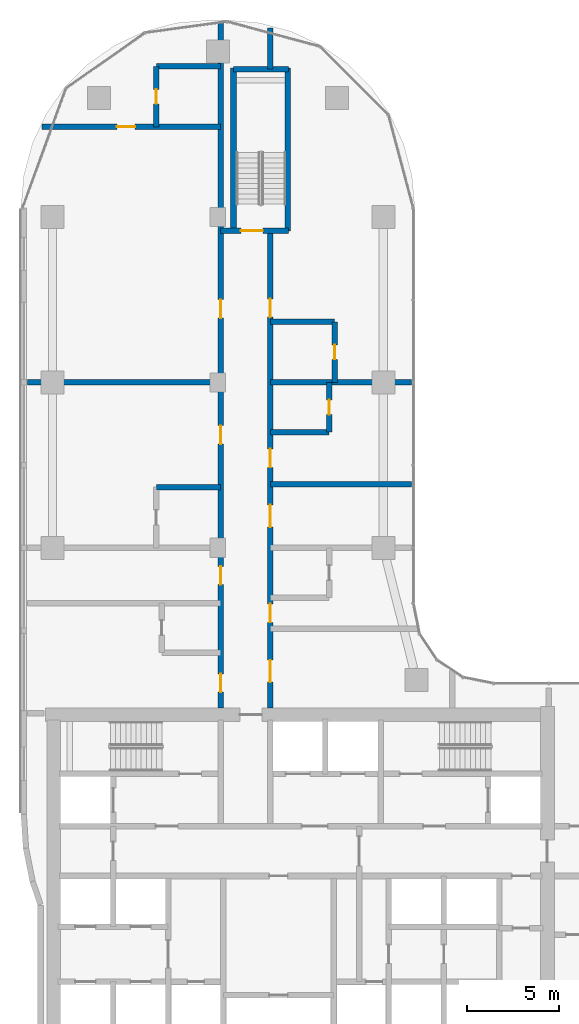
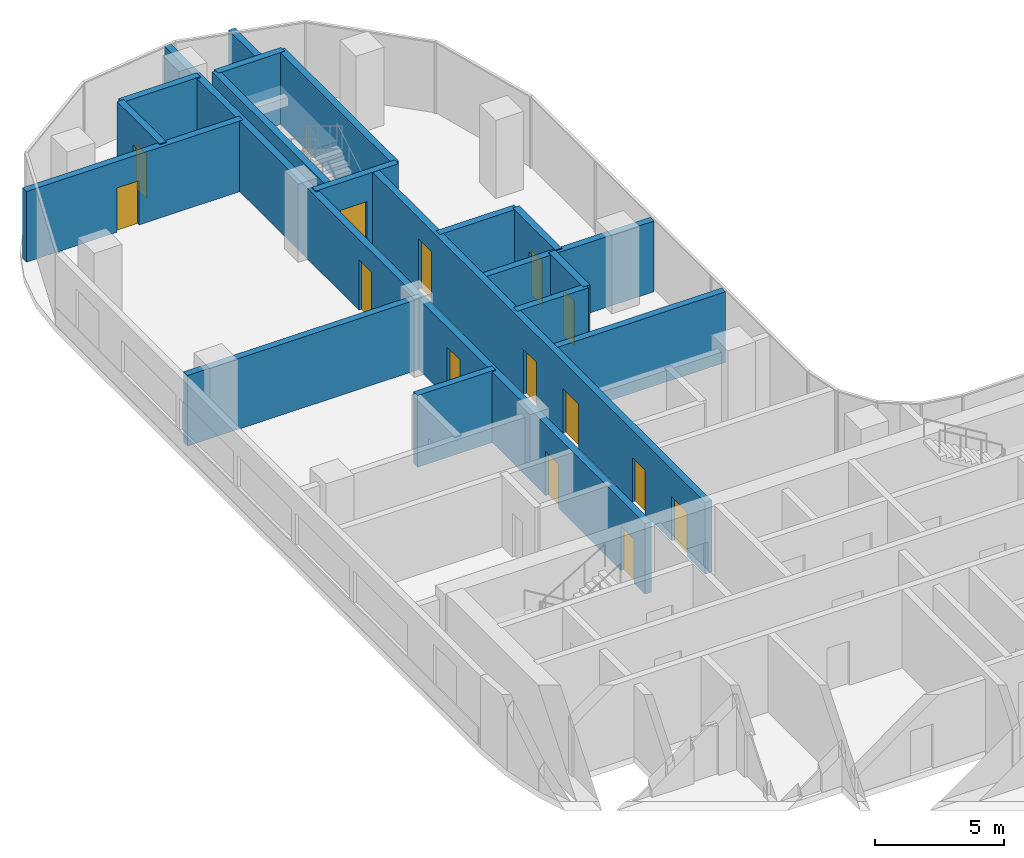
# One storey, part 13 of 22: 18 walls, 14 doors, 14 openings.
"""IFC4 building model written with IfcOpenShell, lengths in metres."""

from ifc_helpers import new_model, si_unit, direction, frame, frame_2d, origin, place, context, subcontext, project, spatial, rectangle, extrude, material, layer, layer_set, type_object, element, fill, save


model = new_model("IFC4")

# Units and contexts
model_context = context("Model", 3, precision=1e-05, world=origin(), true_north=direction((0.0, 1.0)))
body_context = subcontext(model_context, "Body", "Model", "MODEL_VIEW")
ifc_project = project(units=[si_unit("LENGTHUNIT", "METRE"), si_unit("AREAUNIT", "SQUARE_METRE"), si_unit("VOLUMEUNIT", "CUBIC_METRE"), si_unit("PLANEANGLEUNIT", "RADIAN"), si_unit("MASSUNIT", "GRAM", prefix="KILO")], contexts=[model_context])

# Site, building, storey
site_placement = place(None, origin())
site = spatial("IfcSite", under=ifc_project, at=site_placement, CompositionType="ELEMENT")
building_placement = place(site_placement, origin())
building = spatial("IfcBuilding", under=site, at=building_placement, Name="Ogive Portal Towers", CompositionType="ELEMENT")
storey_placement = place(building_placement, frame((0.0, 0.0, 131.5)))
storey = spatial("IfcBuildingStorey", under=building, at=storey_placement, Name="L32", CompositionType="ELEMENT", Elevation=131.5)

# Wall, opening, door
ifc_material_1 = material(Name="Concrete C50/60", Category="concrete")
ifc_layer_1 = layer(ifc_material_1, 0.300048828125)
ifc_layer_set_1 = layer_set([ifc_layer_1], Name="STAIR WALL 300 C50")
wall_type_1 = type_object("IfcWallType", Name="STAIR WALL 300 C50", PredefinedType="SHEAR", material=ifc_layer_set_1)
wall_1_placement = place(storey_placement, frame((40.64990234375, 65.75, 0.0), z_axis=(0.0, 0.0, 1.0), x_axis=(1.0, 0.0, 0.0)))
wall_1 = element("IfcWall", 1, at=wall_1_placement, inside=storey, type_object=wall_type_1, Name="Stair wall ST-A3 L32", PredefinedType="SHEAR", context=body_context, shape_type="SweptSolid", body=[
    extrude(rectangle(XDim=3.7001953125, YDim=0.300048828125, at=frame_2d((1.85009765625, 0.0))), origin(), (0.0, 0.0, 1.0), 3.39990234375),
])
opening_1_placement = place(wall_1_placement, frame((1.10009765625, 0.0, 0.0)))
opening_1 = element("IfcOpeningElement", 2, at=opening_1_placement, cuts=wall_1, Name="Opening D11-065", PredefinedType="OPENING", context=body_context, shape_type="SweptSolid", body=[
    extrude(rectangle(XDim=1.199951171875, YDim=2.10009765625, at=frame_2d((0.60009765625, 1.050048828125))), frame((0.0, 0.16015625, 0.0), z_axis=(0.0, -1.0, 0.0), x_axis=(1.0, 0.0, 0.0)), (0.0, 0.0, 1.0), 0.320068359375),
])
ifc_material_2 = material(Name="Steel fire door", Category="steel")
door_type_1 = type_object("IfcDoorType", Name="DT-STAIR-1200x2100-FD90S", OperationType="SINGLE_SWING_LEFT", PredefinedType="DOOR", material=ifc_material_2)
door_1_placement = place(opening_1_placement, origin())
door_1 = element("IfcDoor", 3, at=door_1_placement, inside=storey, type_object=door_type_1, Name="Door D11-065", OperationType="SINGLE_SWING_RIGHT", OverallHeight=2.10009765625, OverallWidth=1.199951171875, PredefinedType="DOOR", context=body_context, shape_type="SweptSolid", body=[
    extrude(rectangle(XDim=1.199951171875, YDim=2.10009765625, at=frame_2d((0.60009765625, 1.050048828125))), frame((0.0, 0.02490234375, 0.0), z_axis=(0.0, -1.0, 0.0), x_axis=(1.0, 0.0, 0.0)), (0.0, 0.0, 1.0), 0.050048828125),
])
fill(opening_1, door_1)

# Walls
wall_2_placement = place(storey_placement, frame((41.35009765625, 74.550048828125, 0.0), z_axis=(0.0, 0.0, 1.0), x_axis=(1.0, 0.0, 0.0)))
element("IfcWall", 4, at=wall_2_placement, inside=storey, type_object=wall_type_1, Name="Stair wall ST-A3 L32", PredefinedType="SHEAR", context=body_context, shape_type="SweptSolid", body=[
    extrude(rectangle(XDim=3.0, YDim=0.300048828125, at=frame_2d((1.5, 0.0))), origin(), (0.0, 0.0, 1.0), 3.39990234375),
])
for number, where, z_axis, x_axis, name in (
    (5, (41.35009765625, 65.75, 0.0), (0.0, 0.0, 1.0), (0.0, 1.0, 0.0), "Stair wall ST-A3 L32"),
    (6, (44.300048828125, 65.75, 0.0), (0.0, 0.0, 1.0), (0.0, 1.0, 0.0), "Stair wall ST-A3 L32"),
):
    element("IfcWall", number, at=place(storey_placement, frame(where, z_axis=z_axis, x_axis=x_axis)), inside=storey, type_object=wall_type_1, Name=name, PredefinedType="SHEAR", context=body_context, shape_type="SweptSolid", body=[
        extrude(rectangle(XDim=8.85009765625, YDim=0.300048828125, at=frame_2d((4.425048828125, 0.0))), origin(), (0.0, 0.0, 1.0), 3.39990234375),
    ])
ifc_material_3 = material(Name="Gypsum board partition on steel studs", Category="steel")
ifc_layer_2 = layer(ifc_material_3, 0.300048828125)
ifc_layer_set_2 = layer_set([ifc_layer_2], Name="WT-PART-300-EI 60")
wall_type_2 = type_object("IfcWallType", Name="WT-PART-300-EI 60", PredefinedType="PARTITIONING", material=ifc_layer_set_2)
wall_3_placement = place(storey_placement, frame((37.14990234375, 51.800048828125, 0.0), z_axis=(0.0, 0.0, 1.0), x_axis=(1.0, 0.0, 0.0)))
element("IfcWall", 7, at=wall_3_placement, inside=storey, type_object=wall_type_2, Name="Wall L32:w022", PredefinedType="PARTITIONING", context=body_context, shape_type="SweptSolid", body=[
    extrude(rectangle(XDim=3.5, YDim=0.300048828125, at=frame_2d((1.75, 0.0))), origin(), (0.0, 0.0, 1.0), 3.39990234375),
])
wall_4_placement = place(storey_placement, frame((43.35009765625, 51.969970703125, 0.0), z_axis=(0.0, 0.0, 1.0), x_axis=(1.0, 0.0, 0.0)))
element("IfcWall", 8, at=wall_4_placement, inside=storey, type_object=wall_type_2, Name="Wall L32:w023", PredefinedType="PARTITIONING", context=body_context, shape_type="SweptSolid", body=[
    extrude(rectangle(XDim=7.69482421875, YDim=0.300048828125, at=frame_2d((3.847412109375, 0.0))), origin(), (0.0, 0.0, 1.0), 3.35009765625),
])
wall_5_placement = place(storey_placement, frame((43.35009765625, 54.800048828125, 0.0), z_axis=(0.0, 0.0, 1.0), x_axis=(1.0, 0.0, 0.0)))
element("IfcWall", 9, at=wall_5_placement, inside=storey, type_object=wall_type_2, Name="Wall L32:w024", PredefinedType="PARTITIONING", context=body_context, shape_type="SweptSolid", body=[
    extrude(rectangle(XDim=3.199951171875, YDim=0.300048828125, at=frame_2d((1.60009765625, 0.0))), origin(), (0.0, 0.0, 1.0), 3.39990234375),
])
wall_6_placement = place(storey_placement, frame((30.135009765625, 57.5, 0.0), z_axis=(0.0, 0.0, 1.0), x_axis=(1.0, 0.0, 0.0)))
element("IfcWall", 10, at=wall_6_placement, inside=storey, type_object=wall_type_2, Name="Wall L32:w025", PredefinedType="PARTITIONING", context=body_context, shape_type="SweptSolid", body=[
    extrude(rectangle(XDim=10.514892578125, YDim=0.300048828125, at=frame_2d((5.25732421875, 0.0))), origin(), (0.0, 0.0, 1.0), 3.35009765625),
])
wall_7_placement = place(storey_placement, frame((43.35009765625, 57.5, 0.0), z_axis=(0.0, 0.0, 1.0), x_axis=(1.0, 0.0, 0.0)))
element("IfcWall", 11, at=wall_7_placement, inside=storey, type_object=wall_type_2, Name="Wall L32:w026", PredefinedType="PARTITIONING", context=body_context, shape_type="SweptSolid", body=[
    extrude(rectangle(XDim=7.69482421875, YDim=0.300048828125, at=frame_2d((3.847412109375, 0.0))), origin(), (0.0, 0.0, 1.0), 3.35009765625),
])
wall_8_placement = place(storey_placement, frame((43.35009765625, 60.800048828125, 0.0), z_axis=(0.0, 0.0, 1.0), x_axis=(1.0, 0.0, 0.0)))
element("IfcWall", 12, at=wall_8_placement, inside=storey, type_object=wall_type_2, Name="Wall L32:w027", PredefinedType="PARTITIONING", context=body_context, shape_type="SweptSolid", body=[
    extrude(rectangle(XDim=3.5, YDim=0.300048828125, at=frame_2d((1.75, 0.0))), origin(), (0.0, 0.0, 1.0), 3.39990234375),
])

# Wall, opening, door
wall_9_placement = place(storey_placement, frame((30.944091796875, 71.39990234375, 0.0), z_axis=(0.0, 0.0, 1.0), x_axis=(1.0, 0.0, 0.0)))
wall_9 = element("IfcWall", 13, at=wall_9_placement, inside=storey, type_object=wall_type_2, Name="Wall L32:w029", PredefinedType="PARTITIONING", context=body_context, shape_type="SweptSolid", body=[
    extrude(rectangle(XDim=9.705810546875, YDim=0.300048828125, at=frame_2d((4.85302734375, 0.0))), origin(), (0.0, 0.0, 1.0), 3.35009765625),
])
opening_2_placement = place(wall_9_placement, frame((4.055908203125, 0.0, 0.0)))
opening_2 = element("IfcOpeningElement", 14, at=opening_2_placement, cuts=wall_9, Name="Opening D11-059", PredefinedType="OPENING", context=body_context, shape_type="SweptSolid", body=[
    extrude(rectangle(XDim=1.0, YDim=2.10009765625, at=frame_2d((0.5, 1.050048828125))), frame((0.0, 0.16015625, 0.0), z_axis=(0.0, -1.0, 0.0), x_axis=(1.0, 0.0, 0.0)), (0.0, 0.0, 1.0), 0.320068359375),
])
door_type_2 = type_object("IfcDoorType", Name="DT-ENTRY-1000x2100-FD60S", OperationType="SINGLE_SWING_LEFT", PredefinedType="DOOR", material=ifc_material_2)
door_2_placement = place(opening_2_placement, origin())
door_2 = element("IfcDoor", 15, at=door_2_placement, inside=storey, type_object=door_type_2, Name="Door D11-059", OperationType="SINGLE_SWING_RIGHT", OverallHeight=2.10009765625, OverallWidth=1.0, PredefinedType="DOOR", context=body_context, shape_type="SweptSolid", body=[
    extrude(rectangle(XDim=1.0, YDim=2.10009765625, at=frame_2d((0.5, 1.050048828125))), frame((0.0, 0.02490234375, 0.0), z_axis=(0.0, -1.0, 0.0), x_axis=(1.0, 0.0, 0.0)), (0.0, 0.0, 1.0), 0.050048828125),
])
fill(opening_2, door_2)

# Wall
wall_10_placement = place(storey_placement, frame((37.14990234375, 74.699951171875, 0.0), z_axis=(0.0, 0.0, 1.0), x_axis=(1.0, 0.0, 0.0)))
element("IfcWall", 16, at=wall_10_placement, inside=storey, type_object=wall_type_2, Name="Wall L32:w031", PredefinedType="PARTITIONING", context=body_context, shape_type="SweptSolid", body=[
    extrude(rectangle(XDim=3.5, YDim=0.300048828125, at=frame_2d((1.75, 0.0))), origin(), (0.0, 0.0, 1.0), 3.39990234375),
])

# Wall, opening, door
wall_11_placement = place(storey_placement, frame((37.14990234375, 71.39990234375, 0.0), z_axis=(0.0, 0.0, 1.0), x_axis=(0.0, 1.0, 0.0)))
wall_11 = element("IfcWall", 17, at=wall_11_placement, inside=storey, type_object=wall_type_2, Name="Wall L32:w033", PredefinedType="PARTITIONING", context=body_context, shape_type="SweptSolid", body=[
    extrude(rectangle(XDim=3.300048828125, YDim=0.300048828125, at=frame_2d((1.64990234375, 0.0))), origin(), (0.0, 0.0, 1.0), 3.39990234375),
])
opening_3_placement = place(wall_11_placement, frame((1.25, 0.0, 0.0)))
opening_3 = element("IfcOpeningElement", 18, at=opening_3_placement, cuts=wall_11, Name="Opening D11-060", PredefinedType="OPENING", context=body_context, shape_type="SweptSolid", body=[
    extrude(rectangle(XDim=0.800048828125, YDim=2.10009765625, at=frame_2d((0.39990234375, 1.050048828125))), frame((0.0, 0.16015625, 0.0), z_axis=(0.0, -1.0, 0.0), x_axis=(1.0, 0.0, 0.0)), (0.0, 0.0, 1.0), 0.320068359375),
])
door_type_3 = type_object("IfcDoorType", Name="DT-BATH-800x2100-FD60S", OperationType="SINGLE_SWING_LEFT", PredefinedType="DOOR", material=ifc_material_2)
door_3_placement = place(opening_3_placement, origin())
door_3 = element("IfcDoor", 19, at=door_3_placement, inside=storey, type_object=door_type_3, Name="Door D11-060", OperationType="SINGLE_SWING_LEFT", OverallHeight=2.10009765625, OverallWidth=0.800048828125, PredefinedType="DOOR", context=body_context, shape_type="SweptSolid", body=[
    extrude(rectangle(XDim=0.800048828125, YDim=2.10009765625, at=frame_2d((0.39990234375, 1.050048828125))), frame((0.0, 0.02490234375, 0.0), z_axis=(0.0, -1.0, 0.0), x_axis=(1.0, 0.0, 0.0)), (0.0, 0.0, 1.0), 0.050048828125),
])
fill(opening_3, door_3)

# Wall, openings, doors
wall_12_placement = place(storey_placement, frame((40.64990234375, 39.800048828125, 0.0), z_axis=(0.0, 0.0, 1.0), x_axis=(0.0, 1.0, 0.0)))
wall_12 = element("IfcWall", 20, at=wall_12_placement, inside=storey, type_object=wall_type_2, Name="Wall L32:w035", PredefinedType="PARTITIONING", context=body_context, shape_type="SweptSolid", body=[
    extrude(rectangle(XDim=37.304931640625, YDim=0.300048828125, at=frame_2d((18.65234375, 0.0))), origin(), (0.0, 0.0, 1.0), 3.35009765625),
])
opening_4_placement = place(wall_12_placement, frame((0.85009765625, 0.0, 0.0)))
opening_4 = element("IfcOpeningElement", 21, at=opening_4_placement, cuts=wall_12, Name="Opening D11-049", PredefinedType="OPENING", context=body_context, shape_type="SweptSolid", body=[
    extrude(rectangle(XDim=1.0, YDim=2.10009765625, at=frame_2d((0.5, 1.050048828125))), frame((0.0, 0.16015625, 0.0), z_axis=(0.0, -1.0, 0.0), x_axis=(1.0, 0.0, 0.0)), (0.0, 0.0, 1.0), 0.320068359375),
])
opening_5_placement = place(wall_12_placement, frame((6.699951171875, 0.0, 0.0)))
opening_5 = element("IfcOpeningElement", 22, at=opening_5_placement, cuts=wall_12, Name="Opening D11-050", PredefinedType="OPENING", context=body_context, shape_type="SweptSolid", body=[
    extrude(rectangle(XDim=1.0, YDim=2.10009765625, at=frame_2d((0.5, 1.050048828125))), frame((0.0, 0.16015625, 0.0), z_axis=(0.0, -1.0, 0.0), x_axis=(1.0, 0.0, 0.0)), (0.0, 0.0, 1.0), 0.320068359375),
])
opening_6_placement = place(wall_12_placement, frame((14.35009765625, 0.0, 0.0)))
opening_6 = element("IfcOpeningElement", 23, at=opening_6_placement, cuts=wall_12, Name="Opening D11-055", PredefinedType="OPENING", context=body_context, shape_type="SweptSolid", body=[
    extrude(rectangle(XDim=1.0, YDim=2.39990234375, at=frame_2d((0.5, 1.199951171875))), frame((0.0, 0.16015625, 0.0), z_axis=(0.0, -1.0, 0.0), x_axis=(1.0, 0.0, 0.0)), (0.0, 0.0, 1.0), 0.320068359375),
])
opening_7_placement = place(wall_12_placement, frame((21.199951171875, 0.0, 0.0)))
opening_7 = element("IfcOpeningElement", 24, at=opening_7_placement, cuts=wall_12, Name="Opening D11-058", PredefinedType="OPENING", context=body_context, shape_type="SweptSolid", body=[
    extrude(rectangle(XDim=1.0, YDim=2.39990234375, at=frame_2d((0.5, 1.199951171875))), frame((0.0, 0.16015625, 0.0), z_axis=(0.0, -1.0, 0.0), x_axis=(1.0, 0.0, 0.0)), (0.0, 0.0, 1.0), 0.320068359375),
])
door_4_placement = place(opening_4_placement, origin())
door_4 = element("IfcDoor", 25, at=door_4_placement, inside=storey, type_object=door_type_2, Name="Door D11-049", OperationType="SINGLE_SWING_LEFT", OverallHeight=2.10009765625, OverallWidth=1.0, PredefinedType="DOOR", context=body_context, shape_type="SweptSolid", body=[
    extrude(rectangle(XDim=1.0, YDim=2.10009765625, at=frame_2d((0.5, 1.050048828125))), frame((0.0, 0.02490234375, 0.0), z_axis=(0.0, -1.0, 0.0), x_axis=(1.0, 0.0, 0.0)), (0.0, 0.0, 1.0), 0.050048828125),
])
fill(opening_4, door_4)
door_5_placement = place(opening_5_placement, origin())
door_5 = element("IfcDoor", 26, at=door_5_placement, inside=storey, type_object=door_type_2, Name="Door D11-050", OperationType="SINGLE_SWING_RIGHT", OverallHeight=2.10009765625, OverallWidth=1.0, PredefinedType="DOOR", context=body_context, shape_type="SweptSolid", body=[
    extrude(rectangle(XDim=1.0, YDim=2.10009765625, at=frame_2d((0.5, 1.050048828125))), frame((0.0, 0.02490234375, 0.0), z_axis=(0.0, -1.0, 0.0), x_axis=(1.0, 0.0, 0.0)), (0.0, 0.0, 1.0), 0.050048828125),
])
fill(opening_5, door_5)
door_type_4 = type_object("IfcDoorType", Name="DT-ENTRY-1000x2400-FD60S", OperationType="SINGLE_SWING_LEFT", PredefinedType="DOOR", material=ifc_material_2)
door_6_placement = place(opening_6_placement, origin())
door_6 = element("IfcDoor", 27, at=door_6_placement, inside=storey, type_object=door_type_4, Name="Door D11-055", OperationType="SINGLE_SWING_LEFT", OverallHeight=2.39990234375, OverallWidth=1.0, PredefinedType="DOOR", context=body_context, shape_type="SweptSolid", body=[
    extrude(rectangle(XDim=1.0, YDim=2.39990234375, at=frame_2d((0.5, 1.199951171875))), frame((0.0, 0.02490234375, 0.0), z_axis=(0.0, -1.0, 0.0), x_axis=(1.0, 0.0, 0.0)), (0.0, 0.0, 1.0), 0.050048828125),
])
fill(opening_6, door_6)
door_7_placement = place(opening_7_placement, origin())
door_7 = element("IfcDoor", 28, at=door_7_placement, inside=storey, type_object=door_type_4, Name="Door D11-058", OperationType="SINGLE_SWING_LEFT", OverallHeight=2.39990234375, OverallWidth=1.0, PredefinedType="DOOR", context=body_context, shape_type="SweptSolid", body=[
    extrude(rectangle(XDim=1.0, YDim=2.39990234375, at=frame_2d((0.5, 1.199951171875))), frame((0.0, 0.02490234375, 0.0), z_axis=(0.0, -1.0, 0.0), x_axis=(1.0, 0.0, 0.0)), (0.0, 0.0, 1.0), 0.050048828125),
])
fill(opening_7, door_7)

# Wall, opening, door
wall_13_placement = place(storey_placement, frame((46.550048828125, 54.800048828125, 0.0), z_axis=(0.0, 0.0, 1.0), x_axis=(0.0, 1.0, 0.0)))
wall_13 = element("IfcWall", 29, at=wall_13_placement, inside=storey, type_object=wall_type_2, Name="Wall L32:w041", PredefinedType="PARTITIONING", context=body_context, shape_type="SweptSolid", body=[
    extrude(rectangle(XDim=2.699951171875, YDim=0.300048828125, at=frame_2d((1.35009765625, 0.0))), origin(), (0.0, 0.0, 1.0), 3.39990234375),
])
opening_8_placement = place(wall_13_placement, frame((0.949951171875, 0.0, 0.0)))
opening_8 = element("IfcOpeningElement", 30, at=opening_8_placement, cuts=wall_13, Name="Opening D11-052", PredefinedType="OPENING", context=body_context, shape_type="SweptSolid", body=[
    extrude(rectangle(XDim=0.800048828125, YDim=2.10009765625, at=frame_2d((0.39990234375, 1.050048828125))), frame((0.0, 0.16015625, 0.0), z_axis=(0.0, -1.0, 0.0), x_axis=(1.0, 0.0, 0.0)), (0.0, 0.0, 1.0), 0.320068359375),
])
door_8_placement = place(opening_8_placement, origin())
door_8 = element("IfcDoor", 31, at=door_8_placement, inside=storey, type_object=door_type_3, Name="Door D11-052", OperationType="SINGLE_SWING_RIGHT", OverallHeight=2.10009765625, OverallWidth=0.800048828125, PredefinedType="DOOR", context=body_context, shape_type="SweptSolid", body=[
    extrude(rectangle(XDim=0.800048828125, YDim=2.10009765625, at=frame_2d((0.39990234375, 1.050048828125))), frame((0.0, 0.02490234375, 0.0), z_axis=(0.0, -1.0, 0.0), x_axis=(1.0, 0.0, 0.0)), (0.0, 0.0, 1.0), 0.050048828125),
])
fill(opening_8, door_8)

wall_14_placement = place(storey_placement, frame((46.85009765625, 57.5, 0.0), z_axis=(0.0, 0.0, 1.0), x_axis=(0.0, 1.0, 0.0)))
wall_14 = element("IfcWall", 32, at=wall_14_placement, inside=storey, type_object=wall_type_2, Name="Wall L32:w042", PredefinedType="PARTITIONING", context=body_context, shape_type="SweptSolid", body=[
    extrude(rectangle(XDim=3.300048828125, YDim=0.300048828125, at=frame_2d((1.64990234375, 0.0))), origin(), (0.0, 0.0, 1.0), 3.39990234375),
])
opening_9_placement = place(wall_14_placement, frame((1.25, 0.0, 0.0)))
opening_9 = element("IfcOpeningElement", 33, at=opening_9_placement, cuts=wall_14, Name="Opening D11-056", PredefinedType="OPENING", context=body_context, shape_type="SweptSolid", body=[
    extrude(rectangle(XDim=0.800048828125, YDim=2.10009765625, at=frame_2d((0.39990234375, 1.050048828125))), frame((0.0, 0.16015625, 0.0), z_axis=(0.0, -1.0, 0.0), x_axis=(1.0, 0.0, 0.0)), (0.0, 0.0, 1.0), 0.320068359375),
])
door_9_placement = place(opening_9_placement, origin())
door_9 = element("IfcDoor", 34, at=door_9_placement, inside=storey, type_object=door_type_3, Name="Door D11-056", OperationType="SINGLE_SWING_LEFT", OverallHeight=2.10009765625, OverallWidth=0.800048828125, PredefinedType="DOOR", context=body_context, shape_type="SweptSolid", body=[
    extrude(rectangle(XDim=0.800048828125, YDim=2.10009765625, at=frame_2d((0.39990234375, 1.050048828125))), frame((0.0, 0.02490234375, 0.0), z_axis=(0.0, -1.0, 0.0), x_axis=(1.0, 0.0, 0.0)), (0.0, 0.0, 1.0), 0.050048828125),
])
fill(opening_9, door_9)

# Wall, openings, doors
ifc_material_4 = material(Name="Concrete C40/50", Category="concrete")
ifc_layer_3 = layer(ifc_material_4, 0.300048828125)
ifc_layer_set_3 = layer_set([ifc_layer_3], Name="WT-SHAFT-300")
wall_type_3 = type_object("IfcWallType", Name="WT-SHAFT-300", PredefinedType="SOLIDWALL", material=ifc_layer_set_3)
wall_15_placement = place(storey_placement, frame((43.35009765625, 39.800048828125, 0.0), z_axis=(0.0, 0.0, 1.0), x_axis=(0.0, 1.0, 0.0)))
wall_15 = element("IfcWall", 35, at=wall_15_placement, inside=storey, type_object=wall_type_3, Name="Wall L32:w037", PredefinedType="SOLIDWALL", context=body_context, shape_type="SweptSolid", body=[
    extrude(rectangle(XDim=26.0, YDim=0.300048828125, at=frame_2d((13.0, 0.0))), origin(), (0.0, 0.0, 1.0), 3.39990234375),
])
opening_10_placement = place(wall_15_placement, frame((1.39990234375, 0.0, 0.0)))
opening_10 = element("IfcOpeningElement", 36, at=opening_10_placement, cuts=wall_15, Name="Opening D11-045", PredefinedType="OPENING", context=body_context, shape_type="SweptSolid", body=[
    extrude(rectangle(XDim=1.199951171875, YDim=2.10009765625, at=frame_2d((0.60009765625, 1.050048828125))), frame((0.0, 0.16015625, 0.0), z_axis=(0.0, -1.0, 0.0), x_axis=(1.0, 0.0, 0.0)), (0.0, 0.0, 1.0), 0.320068359375),
])
opening_11_placement = place(wall_15_placement, frame((4.64990234375, 0.0, 0.0)))
opening_11 = element("IfcOpeningElement", 37, at=opening_11_placement, cuts=wall_15, Name="Opening D11-047", PredefinedType="OPENING", context=body_context, shape_type="SweptSolid", body=[
    extrude(rectangle(XDim=1.0, YDim=2.10009765625, at=frame_2d((0.5, 1.050048828125))), frame((0.0, 0.16015625, 0.0), z_axis=(0.0, -1.0, 0.0), x_axis=(1.0, 0.0, 0.0)), (0.0, 0.0, 1.0), 0.320068359375),
])
opening_12_placement = place(wall_15_placement, frame((9.8349609375, 0.0, 0.0)))
opening_12 = element("IfcOpeningElement", 38, at=opening_12_placement, cuts=wall_15, Name="Opening D11-051", PredefinedType="OPENING", context=body_context, shape_type="SweptSolid", body=[
    extrude(rectangle(XDim=1.199951171875, YDim=2.10009765625, at=frame_2d((0.60009765625, 1.050048828125))), frame((0.0, 0.16015625, 0.0), z_axis=(0.0, -1.0, 0.0), x_axis=(1.0, 0.0, 0.0)), (0.0, 0.0, 1.0), 0.320068359375),
])
opening_13_placement = place(wall_15_placement, frame((13.0849609375, 0.0, 0.0)))
opening_13 = element("IfcOpeningElement", 39, at=opening_13_placement, cuts=wall_15, Name="Opening D11-053", PredefinedType="OPENING", context=body_context, shape_type="SweptSolid", body=[
    extrude(rectangle(XDim=1.0, YDim=2.10009765625, at=frame_2d((0.5, 1.050048828125))), frame((0.0, 0.16015625, 0.0), z_axis=(0.0, -1.0, 0.0), x_axis=(1.0, 0.0, 0.0)), (0.0, 0.0, 1.0), 0.320068359375),
])
opening_14_placement = place(wall_15_placement, frame((21.25, 0.0, 0.0)))
opening_14 = element("IfcOpeningElement", 40, at=opening_14_placement, cuts=wall_15, Name="Opening D11-057", PredefinedType="OPENING", context=body_context, shape_type="SweptSolid", body=[
    extrude(rectangle(XDim=1.0, YDim=2.39990234375, at=frame_2d((0.5, 1.199951171875))), frame((0.0, 0.16015625, 0.0), z_axis=(0.0, -1.0, 0.0), x_axis=(1.0, 0.0, 0.0)), (0.0, 0.0, 1.0), 0.320068359375),
])
door_type_5 = type_object("IfcDoorType", Name="DT-ENTRY-1000x2100-FD90S", OperationType="SINGLE_SWING_LEFT", PredefinedType="DOOR", material=ifc_material_2)
door_10_placement = place(opening_11_placement, origin())
door_10 = element("IfcDoor", 41, at=door_10_placement, inside=storey, type_object=door_type_5, Name="Door D11-047", OperationType="SINGLE_SWING_LEFT", OverallHeight=2.10009765625, OverallWidth=1.0, PredefinedType="DOOR", context=body_context, shape_type="SweptSolid", body=[
    extrude(rectangle(XDim=1.0, YDim=2.10009765625, at=frame_2d((0.5, 1.050048828125))), frame((0.0, 0.02490234375, 0.0), z_axis=(0.0, -1.0, 0.0), x_axis=(1.0, 0.0, 0.0)), (0.0, 0.0, 1.0), 0.050048828125),
])
fill(opening_11, door_10)
door_11_placement = place(opening_13_placement, origin())
door_11 = element("IfcDoor", 42, at=door_11_placement, inside=storey, type_object=door_type_5, Name="Door D11-053", OperationType="SINGLE_SWING_LEFT", OverallHeight=2.10009765625, OverallWidth=1.0, PredefinedType="DOOR", context=body_context, shape_type="SweptSolid", body=[
    extrude(rectangle(XDim=1.0, YDim=2.10009765625, at=frame_2d((0.5, 1.050048828125))), frame((0.0, 0.02490234375, 0.0), z_axis=(0.0, -1.0, 0.0), x_axis=(1.0, 0.0, 0.0)), (0.0, 0.0, 1.0), 0.050048828125),
])
fill(opening_13, door_11)
door_type_6 = type_object("IfcDoorType", Name="DT-ENTRY-1000x2400-FD90S", OperationType="SINGLE_SWING_LEFT", PredefinedType="DOOR", material=ifc_material_2)
door_12_placement = place(opening_14_placement, origin())
door_12 = element("IfcDoor", 43, at=door_12_placement, inside=storey, type_object=door_type_6, Name="Door D11-057", OperationType="SINGLE_SWING_RIGHT", OverallHeight=2.39990234375, OverallWidth=1.0, PredefinedType="DOOR", context=body_context, shape_type="SweptSolid", body=[
    extrude(rectangle(XDim=1.0, YDim=2.39990234375, at=frame_2d((0.5, 1.199951171875))), frame((0.0, 0.02490234375, 0.0), z_axis=(0.0, -1.0, 0.0), x_axis=(1.0, 0.0, 0.0)), (0.0, 0.0, 1.0), 0.050048828125),
])
fill(opening_14, door_12)
door_type_7 = type_object("IfcDoorType", Name="DT-ENTRY-1200x2100-FD90S", OperationType="SINGLE_SWING_LEFT", PredefinedType="DOOR", material=ifc_material_2)
door_13_placement = place(opening_10_placement, origin())
door_13 = element("IfcDoor", 44, at=door_13_placement, inside=storey, type_object=door_type_7, Name="Door D11-045", OperationType="SINGLE_SWING_LEFT", OverallHeight=2.10009765625, OverallWidth=1.199951171875, PredefinedType="DOOR", context=body_context, shape_type="SweptSolid", body=[
    extrude(rectangle(XDim=1.199951171875, YDim=2.10009765625, at=frame_2d((0.60009765625, 1.050048828125))), frame((0.0, 0.02490234375, 0.0), z_axis=(0.0, -1.0, 0.0), x_axis=(1.0, 0.0, 0.0)), (0.0, 0.0, 1.0), 0.050048828125),
])
fill(opening_10, door_13)
door_14_placement = place(opening_12_placement, origin())
door_14 = element("IfcDoor", 45, at=door_14_placement, inside=storey, type_object=door_type_7, Name="Door D11-051", OperationType="SINGLE_SWING_LEFT", OverallHeight=2.10009765625, OverallWidth=1.199951171875, PredefinedType="DOOR", context=body_context, shape_type="SweptSolid", body=[
    extrude(rectangle(XDim=1.199951171875, YDim=2.10009765625, at=frame_2d((0.60009765625, 1.050048828125))), frame((0.0, 0.02490234375, 0.0), z_axis=(0.0, -1.0, 0.0), x_axis=(1.0, 0.0, 0.0)), (0.0, 0.0, 1.0), 0.050048828125),
])
fill(opening_12, door_14)

# Wall
wall_16_placement = place(storey_placement, frame((43.35009765625, 74.550048828125, 0.0), z_axis=(0.0, 0.0, 1.0), x_axis=(0.0, 1.0, 0.0)))
element("IfcWall", 46, at=wall_16_placement, inside=storey, type_object=wall_type_3, Name="Wall L32:w038", PredefinedType="SOLIDWALL", context=body_context, shape_type="SweptSolid", body=[
    extrude(rectangle(XDim=2.241943359375, YDim=0.300048828125, at=frame_2d((1.12109375, 0.0))), origin(), (0.0, 0.0, 1.0), 3.35009765625),
])

save(model, "model.ifc")
